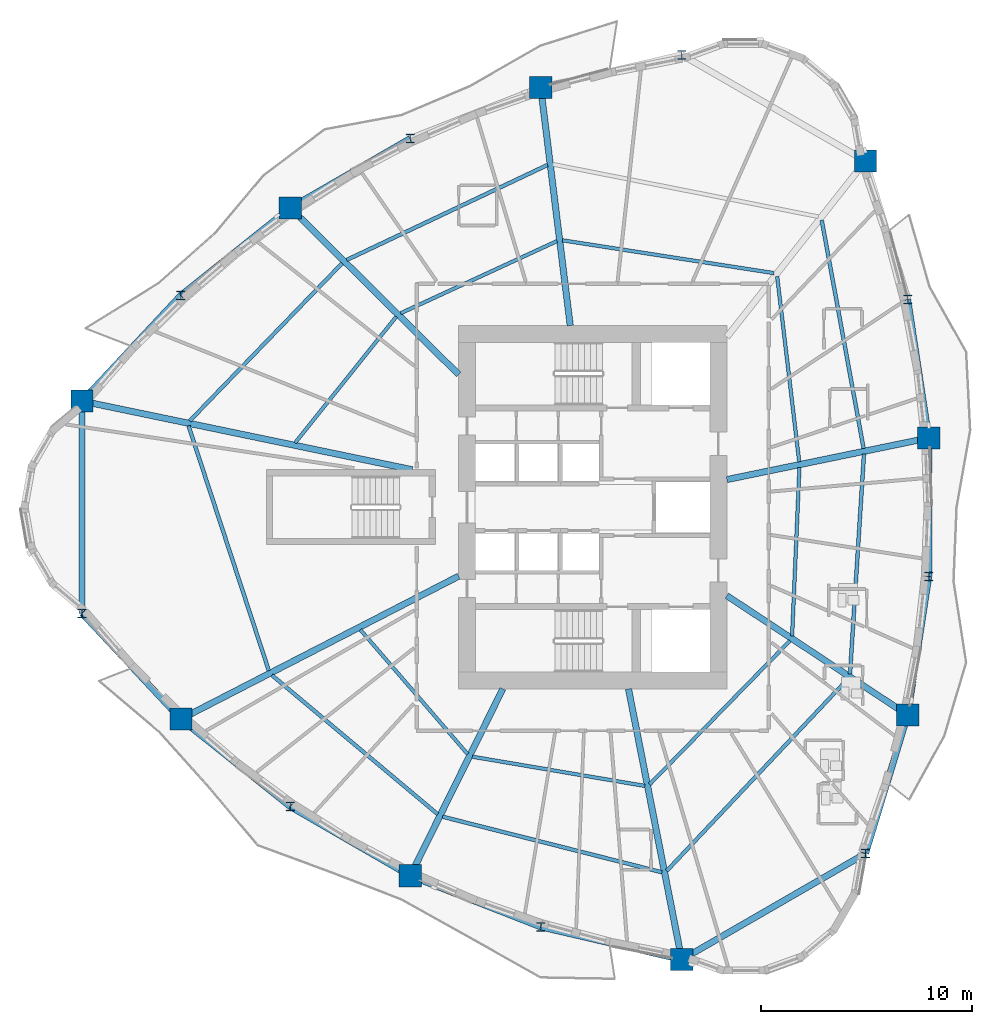
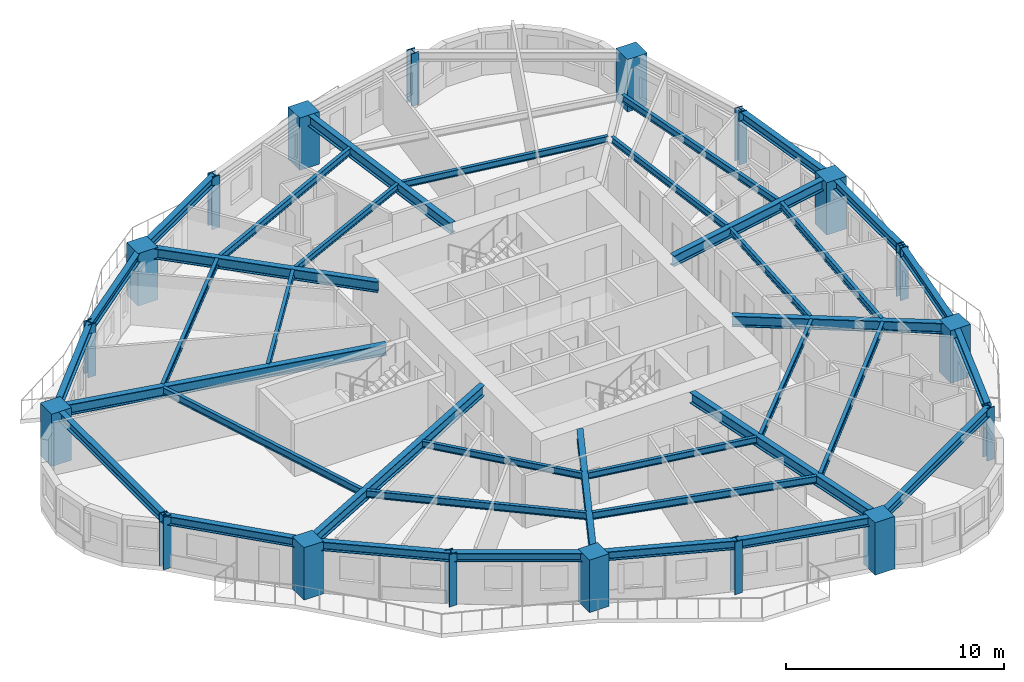
# One storey, part 1 of 13: 38 beams, 18 columns.
"""IFC4 building model written with IfcOpenShell, lengths in metres."""

from ifc_helpers import new_model, si_unit, direction, frame, origin, origin_2d, place, context, subcontext, project, spatial, rectangle, i_section, extrude, source, transform, mapped, material, material_profile, profile_set, type_object, element, save


model = new_model("IFC4")

# Units and contexts
model_context = context("Model", 3, precision=1e-05, world=origin(), true_north=direction((0.0, 1.0)))
body_context = subcontext(model_context, "Body", "Model", "MODEL_VIEW")
ifc_project = project(units=[si_unit("LENGTHUNIT", "METRE"), si_unit("AREAUNIT", "SQUARE_METRE"), si_unit("VOLUMEUNIT", "CUBIC_METRE"), si_unit("PLANEANGLEUNIT", "RADIAN"), si_unit("MASSUNIT", "GRAM", prefix="KILO")], contexts=[model_context])

# Site, building, storey
site_placement = place(None, origin())
site = spatial("IfcSite", under=ifc_project, at=site_placement, CompositionType="ELEMENT")
building_placement = place(site_placement, origin())
building = spatial("IfcBuilding", under=site, at=building_placement, Name="Qafzar Sky-Pleat Residences", CompositionType="ELEMENT")
storey_placement = place(building_placement, frame((0.0, 0.0, 59.0)))
storey = spatial("IfcBuildingStorey", under=building, at=storey_placement, Name="L17", CompositionType="ELEMENT", Elevation=59.0)

# Columns
ifc_material_1 = material(Name="Concrete C60/75", Category="concrete")
ifc_material_profile_1 = material_profile(ifc_material_1, rectangle(XDim=1.050048828125, YDim=1.050048828125, at=origin_2d()), Name="RC 1050x1050")
ifc_profile_set_1 = profile_set([ifc_material_profile_1], Name="Concrete C60/75")
column_type_1 = type_object("IfcColumnType", Name="COL-RC-1050", PredefinedType="COLUMN", material=ifc_profile_set_1)
shared_shape_1 = source(origin(), body_context, "Body", "SweptSolid", [
    extrude(rectangle(XDim=1.050048828125, YDim=1.050048828125, at=origin_2d()), origin(), (0.0, 0.0, 1.0), 2.93994140625),
])
for number, where, z_axis, x_axis, name in (
    (1, (6.175048828125, 31.02294921875, 0.0), (0.0, 0.0, 1.0), (1.0, 0.0, 0.0), "L17 Perimeter Mega Column 1"),
    (2, (10.85595703125, 15.97314453125, 0.0), (0.0, 0.0, 1.0), (1.0, 0.0, 0.0), "L17 Perimeter Mega Column 3"),
    (3, (21.712890625, 8.554443359375, 0.0), (0.0, 0.0, 1.0), (1.0, 0.0, 0.0), "L17 Perimeter Mega Column 5"),
    (4, (34.5625, 4.58740234375, 0.0), (0.0, 0.0, 1.0), (1.0, 0.0, 0.0), "L17 Perimeter Mega Column 7"),
    (5, (45.255615234375, 16.166259765625, 0.0), (0.0, 0.0, 1.0), (1.0, 0.0, 0.0), "L17 Perimeter Mega Column 9"),
    (6, (46.251953125, 29.27783203125, 0.0), (0.0, 0.0, 1.0), (1.0, 0.0, 0.0), "L17 Perimeter Mega Column 11"),
    (7, (43.262451171875, 42.389404296875, 0.0), (0.0, 0.0, 1.0), (1.0, 0.0, 0.0), "L17 Perimeter Mega Column 13"),
    (8, (27.888427734375, 45.860595703125, 0.0), (0.0, 0.0, 1.0), (1.0, 0.0, 0.0), "L17 Perimeter Mega Column 15"),
    (9, (16.035400390625, 40.167724609375, 0.0), (0.0, 0.0, 1.0), (1.0, 0.0, 0.0), "L17 Perimeter Mega Column 17"),
):
    element("IfcColumn", number, at=place(storey_placement, frame(where, z_axis=z_axis, x_axis=x_axis)), inside=storey, type_object=column_type_1, Name=name, PredefinedType="COLUMN", context=body_context, shape_type="MappedRepresentation", body=[
        mapped(shared_shape_1, transform((0.0, 0.0, 0.0), x_axis=(1.0, 0.0, 0.0), y_axis=(0.0, 1.0, 0.0), z_axis=(0.0, 0.0, 1.0), scale=1.0)),
    ])
ifc_material_2 = material(Name="Steel S460", Category="steel")
ifc_material_profile_2 = material_profile(ifc_material_2, i_section(OverallWidth=0.408935546875, OverallDepth=0.425048828125, WebThickness=0.030029296875, FlangeThickness=0.048095703125, FilletRadius=0.014892578125, at=origin_2d()), Name="HD 400x421")
ifc_profile_set_2 = profile_set([ifc_material_profile_2], Name="Steel S460")
column_type_2 = type_object("IfcColumnType", Name="COL-STL-HD421", PredefinedType="PILASTER", material=ifc_profile_set_2)
shared_shape_2 = source(origin(), body_context, "Body", "SweptSolid", [
    extrude(i_section(OverallWidth=0.408935546875, OverallDepth=0.425048828125, WebThickness=0.030029296875, FlangeThickness=0.048095703125, FilletRadius=0.014892578125, at=origin_2d()), origin(), (0.0, 0.0, 1.0), 2.93994140625),
])
for number, where, z_axis, x_axis, name in (
    (10, (6.175048828125, 20.97705078125, 0.0), (0.0, 0.0, 1.0), (1.0, 0.0, 0.0), "L17 Perimeter Mega Column 2"),
    (11, (16.035400390625, 11.832275390625, 0.0), (0.0, 0.0, 1.0), (1.0, 0.0, 0.0), "L17 Perimeter Mega Column 4"),
    (12, (27.888427734375, 6.139404296875, 0.0), (0.0, 0.0, 1.0), (1.0, 0.0, 0.0), "L17 Perimeter Mega Column 6"),
    (13, (43.262451171875, 9.610595703125, 0.0), (0.0, 0.0, 1.0), (1.0, 0.0, 0.0), "L17 Perimeter Mega Column 8"),
    (14, (46.251953125, 22.72216796875, 0.0), (0.0, 0.0, 1.0), (1.0, 0.0, 0.0), "L17 Perimeter Mega Column 10"),
    (15, (45.255615234375, 35.833740234375, 0.0), (0.0, 0.0, 1.0), (1.0, 0.0, 0.0), "L17 Perimeter Mega Column 12"),
    (16, (34.5625, 47.41259765625, 0.0), (0.0, 0.0, 1.0), (1.0, 0.0, 0.0), "L17 Perimeter Mega Column 14"),
    (17, (21.712890625, 43.445556640625, 0.0), (0.0, 0.0, 1.0), (1.0, 0.0, 0.0), "L17 Perimeter Mega Column 16"),
    (18, (10.85595703125, 36.02685546875, 0.0), (0.0, 0.0, 1.0), (1.0, 0.0, 0.0), "L17 Perimeter Mega Column 18"),
):
    element("IfcColumn", number, at=place(storey_placement, frame(where, z_axis=z_axis, x_axis=x_axis)), inside=storey, type_object=column_type_2, Name=name, PredefinedType="PILASTER", context=body_context, shape_type="MappedRepresentation", body=[
        mapped(shared_shape_2, transform((0.0, 0.0, 0.0), x_axis=(1.0, 0.0, 0.0), y_axis=(0.0, 1.0, 0.0), z_axis=(0.0, 0.0, 1.0), scale=1.0)),
    ])

# Beams
ifc_material_3 = material(Name="Steel S355", Category="steel")
ifc_material_profile_3 = material_profile(ifc_material_3, i_section(OverallWidth=0.300048828125, OverallDepth=0.5, WebThickness=0.014404296875, FlangeThickness=0.028076171875, FilletRadius=0.027099609375, at=origin_2d()), Name="HEB 500")
ifc_profile_set_3 = profile_set([ifc_material_profile_3], Name="Steel S355")
beam_type_1 = type_object("IfcBeamType", Name="BM-SPAN-HEB500", PredefinedType="SPANDREL", material=ifc_profile_set_3)
shared_shape_3 = source(origin(), body_context, "Body", "SweptSolid", [
    extrude(i_section(OverallWidth=0.300048828125, OverallDepth=0.5, WebThickness=0.014404296875, FlangeThickness=0.028076171875, FilletRadius=0.027099609375, at=origin_2d()), origin(), (0.0, 0.0, 1.0), 10.0458984375),
])
for number, where, z_axis, x_axis, name in (
    (19, (6.175048828125, 31.02294921875, 2.68798828125), (0.0, -1.0, 0.0), (1.0, 0.0, 0.0), "L17 Perimeter Spandrel Beam 1"),
    (20, (34.5625, 4.58740234375, 2.68798828125), (0.866013584312, 0.500020471368, 0.0), (-0.500020471368, 0.866013584312, 0.0), "L17 Perimeter Spandrel Beam 7"),
):
    element("IfcBeam", number, at=place(storey_placement, frame(where, z_axis=z_axis, x_axis=x_axis)), inside=storey, type_object=beam_type_1, Name=name, PredefinedType="SPANDREL", context=body_context, shape_type="MappedRepresentation", body=[
        mapped(shared_shape_3, transform((0.0, 0.0, 0.0), x_axis=(1.0, 0.0, 0.0), y_axis=(0.0, 1.0, 0.0), z_axis=(0.0, 0.0, 1.0), scale=1.0)),
    ])
shared_shape_4 = source(origin(), body_context, "Body", "SweptSolid", [
    extrude(i_section(OverallWidth=0.300048828125, OverallDepth=0.5, WebThickness=0.014404296875, FlangeThickness=0.028076171875, FilletRadius=0.027099609375, at=origin_2d()), origin(), (0.0, 0.0, 1.0), 6.85205078125),
])
for number, where, z_axis, x_axis, name in (
    (21, (6.175048828125, 20.97705078125, 2.68798828125), (0.683144256595, -0.730283455024, 0.0), (0.730283455024, 0.683144256595, 0.0), "L17 Perimeter Spandrel Beam 2"),
    (22, (27.888427734375, 6.139404296875, 2.68798828125), (0.974011500326, -0.226498559007, 0.0), (0.226498559007, 0.974011500326, 0.0), "L17 Perimeter Spandrel Beam 6"),
    (23, (43.262451171875, 9.610595703125, 2.68798828125), (0.290889380192, 0.95675669242, 0.0), (-0.95675669242, 0.290889380192, 0.0), "L17 Perimeter Spandrel Beam 8"),
    (24, (10.85595703125, 36.02685546875, 2.68798828125), (-0.683144256595, -0.730283455024, 0.0), (0.730283455024, -0.683144256595, 0.0), "L17 Perimeter Spandrel Beam 18"),
):
    element("IfcBeam", number, at=place(storey_placement, frame(where, z_axis=z_axis, x_axis=x_axis)), inside=storey, type_object=beam_type_1, Name=name, PredefinedType="SPANDREL", context=body_context, shape_type="MappedRepresentation", body=[
        mapped(shared_shape_4, transform((0.0, 0.0, 0.0), x_axis=(1.0, 0.0, 0.0), y_axis=(0.0, 1.0, 0.0), z_axis=(0.0, 0.0, 1.0), scale=1.0)),
    ])
shared_shape_5 = source(origin(), body_context, "Body", "SweptSolid", [
    extrude(i_section(OverallWidth=0.300048828125, OverallDepth=0.5, WebThickness=0.014404296875, FlangeThickness=0.028076171875, FilletRadius=0.027099609375, at=origin_2d()), origin(), (0.0, 0.0, 1.0), 6.63134765625),
])
for number, where, z_axis, x_axis, name in (
    (25, (10.85595703125, 15.97314453125, 2.68798828125), (0.781066323429, -0.624448075027, 0.0), (0.624448075027, 0.781066323429, 0.0), "L17 Perimeter Spandrel Beam 3"),
    (26, (16.035400390625, 40.167724609375, 2.68798828125), (-0.781066323429, -0.624448075027, 0.0), (0.624448075027, -0.781066323429, 0.0), "L17 Perimeter Spandrel Beam 17"),
):
    element("IfcBeam", number, at=place(storey_placement, frame(where, z_axis=z_axis, x_axis=x_axis)), inside=storey, type_object=beam_type_1, Name=name, PredefinedType="SPANDREL", context=body_context, shape_type="MappedRepresentation", body=[
        mapped(shared_shape_5, transform((0.0, 0.0, 0.0), x_axis=(1.0, 0.0, 0.0), y_axis=(0.0, 1.0, 0.0), z_axis=(0.0, 0.0, 1.0), scale=1.0)),
    ])
shared_shape_6 = source(origin(), body_context, "Body", "SweptSolid", [
    extrude(i_section(OverallWidth=0.300048828125, OverallDepth=0.5, WebThickness=0.014404296875, FlangeThickness=0.028076171875, FilletRadius=0.027099609375, at=origin_2d()), origin(), (0.0, 0.0, 1.0), 6.5556640625),
])
for number, where, z_axis, x_axis, name in (
    (27, (16.035400390625, 11.832275390625, 2.68798828125), (0.866029927155, -0.499992165211, 0.0), (0.499992165211, 0.866029927155, 0.0), "L17 Perimeter Spandrel Beam 4"),
    (28, (46.251953125, 22.72216796875, 2.68798828125), (0.0, 1.0, 0.0), (-1.0, 0.0, 0.0), "L17 Perimeter Spandrel Beam 10"),
    (29, (21.712890625, 43.445556640625, 2.68798828125), (-0.866029927155, -0.499992165211, 0.0), (0.499992165211, -0.866029927155, 0.0), "L17 Perimeter Spandrel Beam 16"),
):
    element("IfcBeam", number, at=place(storey_placement, frame(where, z_axis=z_axis, x_axis=x_axis)), inside=storey, type_object=beam_type_1, Name=name, PredefinedType="SPANDREL", context=body_context, shape_type="MappedRepresentation", body=[
        mapped(shared_shape_6, transform((0.0, 0.0, 0.0), x_axis=(1.0, 0.0, 0.0), y_axis=(0.0, 1.0, 0.0), z_axis=(0.0, 0.0, 1.0), scale=1.0)),
    ])
shared_shape_7 = source(origin(), body_context, "Body", "SweptSolid", [
    extrude(i_section(OverallWidth=0.300048828125, OverallDepth=0.5, WebThickness=0.014404296875, FlangeThickness=0.028076171875, FilletRadius=0.027099609375, at=origin_2d()), origin(), (0.0, 0.0, 1.0), 6.630859375),
])
beam_1_placement = place(storey_placement, frame((21.712890625, 8.554443359375, 2.68798828125), z_axis=(0.931318267356, -0.364206376782, 0.0), x_axis=(0.364206376782, 0.931318267356, 0.0)))
element("IfcBeam", 30, at=beam_1_placement, inside=storey, type_object=beam_type_1, Name="L17 Perimeter Spandrel Beam 5", PredefinedType="SPANDREL", context=body_context, shape_type="MappedRepresentation", body=[
    mapped(shared_shape_7, transform((0.0, 0.0, 0.0), x_axis=(1.0, 0.0, 0.0), y_axis=(0.0, 1.0, 0.0), z_axis=(0.0, 0.0, 1.0), scale=1.0)),
])
shared_shape_8 = source(origin(), body_context, "Body", "SweptSolid", [
    extrude(i_section(OverallWidth=0.300048828125, OverallDepth=0.5, WebThickness=0.014404296875, FlangeThickness=0.028076171875, FilletRadius=0.027099609375, at=origin_2d()), origin(), (0.0, 0.0, 1.0), 6.631103515625),
])
for number, where, z_axis, x_axis, name in (
    (31, (45.255615234375, 16.166259765625, 2.68798828125), (0.150250341483, 0.988647983301, 0.0), (-0.988647983301, 0.150250341483, 0.0), "L17 Perimeter Spandrel Beam 9"),
    (32, (46.251953125, 29.27783203125, 2.68798828125), (-0.150250341483, 0.988647983301, 0.0), (-0.988647983301, -0.150250341483, 0.0), "L17 Perimeter Spandrel Beam 11"),
):
    element("IfcBeam", number, at=place(storey_placement, frame(where, z_axis=z_axis, x_axis=x_axis)), inside=storey, type_object=beam_type_1, Name=name, PredefinedType="SPANDREL", context=body_context, shape_type="MappedRepresentation", body=[
        mapped(shared_shape_8, transform((0.0, 0.0, 0.0), x_axis=(1.0, 0.0, 0.0), y_axis=(0.0, 1.0, 0.0), z_axis=(0.0, 0.0, 1.0), scale=1.0)),
    ])
ifc_material_profile_4 = material_profile(ifc_material_3, i_section(OverallWidth=0.300048828125, OverallDepth=0.60009765625, WebThickness=0.015380859375, FlangeThickness=0.030029296875, FilletRadius=0.027099609375, at=origin_2d()), Name="HEB 600")
ifc_profile_set_4 = profile_set([ifc_material_profile_4], Name="Steel S355")
beam_type_2 = type_object("IfcBeamType", Name="BM-GIRD-HEB600", PredefinedType="BEAM", material=ifc_profile_set_4)
shared_shape_9 = source(origin(), body_context, "Body", "SweptSolid", [
    extrude(i_section(OverallWidth=0.300048828125, OverallDepth=0.60009765625, WebThickness=0.015380859375, FlangeThickness=0.030029296875, FilletRadius=0.027099609375, at=origin_2d()), origin(), (0.0, 0.0, 1.0), 15.9658203125),
])
beam_2_placement = place(storey_placement, frame((6.175048828125, 31.02294921875, 2.637939453125), z_axis=(0.979087655723, -0.20343884194, 0.0), x_axis=(0.20343884194, 0.979087655723, 0.0)))
element("IfcBeam", 33, at=beam_2_placement, inside=storey, type_object=beam_type_2, Name="L17 Radial Floor Girder 1", PredefinedType="BEAM", context=body_context, shape_type="MappedRepresentation", body=[
    mapped(shared_shape_9, transform((0.0, 0.0, 0.0), x_axis=(1.0, 0.0, 0.0), y_axis=(0.0, 1.0, 0.0), z_axis=(0.0, 0.0, 1.0), scale=1.0)),
])
shared_shape_10 = source(origin(), body_context, "Body", "SweptSolid", [
    extrude(i_section(OverallWidth=0.300048828125, OverallDepth=0.60009765625, WebThickness=0.015380859375, FlangeThickness=0.030029296875, FilletRadius=0.027099609375, at=origin_2d()), origin(), (0.0, 0.0, 1.0), 14.78076171875),
])
beam_3_placement = place(storey_placement, frame((10.85595703125, 15.97314453125, 2.637939453125), z_axis=(0.889261697254, 0.457398768906, 0.0), x_axis=(-0.457398768906, 0.889261697254, 0.0)))
element("IfcBeam", 34, at=beam_3_placement, inside=storey, type_object=beam_type_2, Name="L17 Radial Floor Girder 3", PredefinedType="BEAM", context=body_context, shape_type="MappedRepresentation", body=[
    mapped(shared_shape_10, transform((0.0, 0.0, 0.0), x_axis=(1.0, 0.0, 0.0), y_axis=(0.0, 1.0, 0.0), z_axis=(0.0, 0.0, 1.0), scale=1.0)),
])
shared_shape_11 = source(origin(), body_context, "Body", "SweptSolid", [
    extrude(i_section(OverallWidth=0.300048828125, OverallDepth=0.60009765625, WebThickness=0.015380859375, FlangeThickness=0.030029296875, FilletRadius=0.027099609375, at=origin_2d()), origin(), (0.0, 0.0, 1.0), 9.8701171875),
])
beam_4_placement = place(storey_placement, frame((21.712890625, 8.554443359375, 2.637939453125), z_axis=(0.44369776666, 0.896176484773, 0.0), x_axis=(-0.896176484773, 0.44369776666, 0.0)))
element("IfcBeam", 35, at=beam_4_placement, inside=storey, type_object=beam_type_2, Name="L17 Radial Floor Girder 5", PredefinedType="BEAM", context=body_context, shape_type="MappedRepresentation", body=[
    mapped(shared_shape_11, transform((0.0, 0.0, 0.0), x_axis=(1.0, 0.0, 0.0), y_axis=(0.0, 1.0, 0.0), z_axis=(0.0, 0.0, 1.0), scale=1.0)),
])
shared_shape_12 = source(origin(), body_context, "Body", "SweptSolid", [
    extrude(i_section(OverallWidth=0.300048828125, OverallDepth=0.60009765625, WebThickness=0.015380859375, FlangeThickness=0.030029296875, FilletRadius=0.027099609375, at=origin_2d()), origin(), (0.0, 0.0, 1.0), 13.05810546875),
])
beam_5_placement = place(storey_placement, frame((34.5625, 4.58740234375, 2.637939453125), z_axis=(-0.193023040618, 0.981194224295, 0.0), x_axis=(-0.981194224295, -0.193023040618, 0.0)))
element("IfcBeam", 36, at=beam_5_placement, inside=storey, type_object=beam_type_2, Name="L17 Radial Floor Girder 7", PredefinedType="BEAM", context=body_context, shape_type="MappedRepresentation", body=[
    mapped(shared_shape_12, transform((0.0, 0.0, 0.0), x_axis=(1.0, 0.0, 0.0), y_axis=(0.0, 1.0, 0.0), z_axis=(0.0, 0.0, 1.0), scale=1.0)),
])
shared_shape_13 = source(origin(), body_context, "Body", "SweptSolid", [
    extrude(i_section(OverallWidth=0.300048828125, OverallDepth=0.60009765625, WebThickness=0.015380859375, FlangeThickness=0.030029296875, FilletRadius=0.027099609375, at=origin_2d()), origin(), (0.0, 0.0, 1.0), 10.25),
])
beam_6_placement = place(storey_placement, frame((45.255615234375, 16.166259765625, 2.637939453125), z_axis=(-0.834708385067, 0.550692211584, 0.0), x_axis=(-0.550692211584, -0.834708385067, 0.0)))
element("IfcBeam", 37, at=beam_6_placement, inside=storey, type_object=beam_type_2, Name="L17 Radial Floor Girder 9", PredefinedType="BEAM", context=body_context, shape_type="MappedRepresentation", body=[
    mapped(shared_shape_13, transform((0.0, 0.0, 0.0), x_axis=(1.0, 0.0, 0.0), y_axis=(0.0, 1.0, 0.0), z_axis=(0.0, 0.0, 1.0), scale=1.0)),
])
shared_shape_14 = source(origin(), body_context, "Body", "SweptSolid", [
    extrude(i_section(OverallWidth=0.300048828125, OverallDepth=0.60009765625, WebThickness=0.015380859375, FlangeThickness=0.030029296875, FilletRadius=0.027099609375, at=origin_2d()), origin(), (0.0, 0.0, 1.0), 9.7529296875),
])
beam_7_placement = place(storey_placement, frame((46.251953125, 29.27783203125, 2.637939453125), z_axis=(-0.979408299393, -0.201889531875, 0.0), x_axis=(0.201889531875, -0.979408299393, 0.0)))
element("IfcBeam", 38, at=beam_7_placement, inside=storey, type_object=beam_type_2, Name="L17 Radial Floor Girder 11", PredefinedType="BEAM", context=body_context, shape_type="MappedRepresentation", body=[
    mapped(shared_shape_14, transform((0.0, 0.0, 0.0), x_axis=(1.0, 0.0, 0.0), y_axis=(0.0, 1.0, 0.0), z_axis=(0.0, 0.0, 1.0), scale=1.0)),
])
shared_shape_15 = source(origin(), body_context, "Body", "SweptSolid", [
    extrude(i_section(OverallWidth=0.300048828125, OverallDepth=0.60009765625, WebThickness=0.015380859375, FlangeThickness=0.030029296875, FilletRadius=0.027099609375, at=origin_2d()), origin(), (0.0, 0.0, 1.0), 11.3466796875),
])
beam_8_placement = place(storey_placement, frame((27.888427734375, 45.860595703125, 2.637939453125), z_axis=(0.123009821066, -0.992405453392, 0.0), x_axis=(0.992405453392, 0.123009821066, 0.0)))
element("IfcBeam", 39, at=beam_8_placement, inside=storey, type_object=beam_type_2, Name="L17 Radial Floor Girder 15", PredefinedType="BEAM", context=body_context, shape_type="MappedRepresentation", body=[
    mapped(shared_shape_15, transform((0.0, 0.0, 0.0), x_axis=(1.0, 0.0, 0.0), y_axis=(0.0, 1.0, 0.0), z_axis=(0.0, 0.0, 1.0), scale=1.0)),
])
shared_shape_16 = source(origin(), body_context, "Body", "SweptSolid", [
    extrude(i_section(OverallWidth=0.300048828125, OverallDepth=0.60009765625, WebThickness=0.015380859375, FlangeThickness=0.030029296875, FilletRadius=0.027099609375, at=origin_2d()), origin(), (0.0, 0.0, 1.0), 11.2060546875),
])
beam_9_placement = place(storey_placement, frame((16.035400390625, 40.167724609375, 2.637939453125), z_axis=(0.710746632195, -0.703448096751, 0.0), x_axis=(0.703448096751, 0.710746632195, 0.0)))
element("IfcBeam", 40, at=beam_9_placement, inside=storey, type_object=beam_type_2, Name="L17 Radial Floor Girder 17", PredefinedType="BEAM", context=body_context, shape_type="MappedRepresentation", body=[
    mapped(shared_shape_16, transform((0.0, 0.0, 0.0), x_axis=(1.0, 0.0, 0.0), y_axis=(0.0, 1.0, 0.0), z_axis=(0.0, 0.0, 1.0), scale=1.0)),
])
ifc_material_profile_5 = material_profile(ifc_material_3, i_section(OverallWidth=0.179931640625, OverallDepth=0.39990234375, WebThickness=0.008544921875, FlangeThickness=0.013427734375, FilletRadius=0.02099609375, at=origin_2d()), Name="IPE 400")
ifc_profile_set_5 = profile_set([ifc_material_profile_5], Name="Steel S355")
beam_type_3 = type_object("IfcBeamType", Name="BM-JST-IPE400", PredefinedType="JOIST", material=ifc_profile_set_5)
shared_shape_17 = source(origin(), body_context, "Body", "SweptSolid", [
    extrude(i_section(OverallWidth=0.179931640625, OverallDepth=0.39990234375, WebThickness=0.008544921875, FlangeThickness=0.013427734375, FilletRadius=0.02099609375, at=origin_2d()), origin(), (0.0, 0.0, 1.0), 12.197509765625),
])
beam_10_placement = place(storey_placement, frame((11.21923828125, 29.855224609375, 2.738037109375), z_axis=(0.311600442653, -0.950213220356, 0.0), x_axis=(0.950213220356, 0.311600442653, 0.0)))
element("IfcBeam", 41, at=beam_10_placement, inside=storey, type_object=beam_type_3, Name="L17 Outer Secondary Floor Joist 1", PredefinedType="JOIST", context=body_context, shape_type="MappedRepresentation", body=[
    mapped(shared_shape_17, transform((0.0, 0.0, 0.0), x_axis=(1.0, 0.0, 0.0), y_axis=(0.0, 1.0, 0.0), z_axis=(0.0, 0.0, 1.0), scale=1.0)),
])
shared_shape_18 = source(origin(), body_context, "Body", "SweptSolid", [
    extrude(i_section(OverallWidth=0.179931640625, OverallDepth=0.39990234375, WebThickness=0.008544921875, FlangeThickness=0.013427734375, FilletRadius=0.02099609375, at=origin_2d()), origin(), (0.0, 0.0, 1.0), 10.238037109375),
])
beam_11_placement = place(storey_placement, frame((15.16552734375, 18.0498046875, 2.738037109375), z_axis=(0.766274860115, -0.642512909408, 0.0), x_axis=(0.642512909408, 0.766274860115, 0.0)))
element("IfcBeam", 42, at=beam_11_placement, inside=storey, type_object=beam_type_3, Name="L17 Outer Secondary Floor Joist 2", PredefinedType="JOIST", context=body_context, shape_type="MappedRepresentation", body=[
    mapped(shared_shape_18, transform((0.0, 0.0, 0.0), x_axis=(1.0, 0.0, 0.0), y_axis=(0.0, 1.0, 0.0), z_axis=(0.0, 0.0, 1.0), scale=1.0)),
])
shared_shape_19 = source(origin(), body_context, "Body", "SweptSolid", [
    extrude(i_section(OverallWidth=0.179931640625, OverallDepth=0.39990234375, WebThickness=0.008544921875, FlangeThickness=0.013427734375, FilletRadius=0.02099609375, at=origin_2d()), origin(), (0.0, 0.0, 1.0), 10.708251953125),
])
beam_12_placement = place(storey_placement, frame((23.2451171875, 11.351806640625, 2.738037109375), z_axis=(0.969343343065, -0.245710161074, 0.0), x_axis=(0.245710161074, 0.969343343065, 0.0)))
element("IfcBeam", 43, at=beam_12_placement, inside=storey, type_object=beam_type_3, Name="L17 Outer Secondary Floor Joist 3", PredefinedType="JOIST", context=body_context, shape_type="MappedRepresentation", body=[
    mapped(shared_shape_19, transform((0.0, 0.0, 0.0), x_axis=(1.0, 0.0, 0.0), y_axis=(0.0, 1.0, 0.0), z_axis=(0.0, 0.0, 1.0), scale=1.0)),
])
shared_shape_20 = source(origin(), body_context, "Body", "SweptSolid", [
    extrude(i_section(OverallWidth=0.179931640625, OverallDepth=0.39990234375, WebThickness=0.008544921875, FlangeThickness=0.013427734375, FilletRadius=0.02099609375, at=origin_2d()), origin(), (0.0, 0.0, 1.0), 12.496337890625),
])
beam_13_placement = place(storey_placement, frame((33.8486328125, 8.78564453125, 2.738037109375), z_axis=(0.68631540496, 0.727304038841, 0.0), x_axis=(-0.727304038841, 0.68631540496, 0.0)))
element("IfcBeam", 44, at=beam_13_placement, inside=storey, type_object=beam_type_3, Name="L17 Outer Secondary Floor Joist 4", PredefinedType="JOIST", context=body_context, shape_type="MappedRepresentation", body=[
    mapped(shared_shape_20, transform((0.0, 0.0, 0.0), x_axis=(1.0, 0.0, 0.0), y_axis=(0.0, 1.0, 0.0), z_axis=(0.0, 0.0, 1.0), scale=1.0)),
])
shared_shape_21 = source(origin(), body_context, "Body", "SweptSolid", [
    extrude(i_section(OverallWidth=0.179931640625, OverallDepth=0.39990234375, WebThickness=0.008544921875, FlangeThickness=0.013427734375, FilletRadius=0.02099609375, at=origin_2d()), origin(), (0.0, 0.0, 1.0), 10.427001953125),
])
beam_14_placement = place(storey_placement, frame((42.5263671875, 18.107177734375, 2.738037109375), z_axis=(0.06333597045, 0.997992261917, 0.0), x_axis=(-0.997992261917, 0.06333597045, 0.0)))
element("IfcBeam", 45, at=beam_14_placement, inside=storey, type_object=beam_type_3, Name="L17 Outer Secondary Floor Joist 5", PredefinedType="JOIST", context=body_context, shape_type="MappedRepresentation", body=[
    mapped(shared_shape_21, transform((0.0, 0.0, 0.0), x_axis=(1.0, 0.0, 0.0), y_axis=(0.0, 1.0, 0.0), z_axis=(0.0, 0.0, 1.0), scale=1.0)),
])
shared_shape_22 = source(origin(), body_context, "Body", "SweptSolid", [
    extrude(i_section(OverallWidth=0.179931640625, OverallDepth=0.39990234375, WebThickness=0.008544921875, FlangeThickness=0.013427734375, FilletRadius=0.02099609375, at=origin_2d()), origin(), (0.0, 0.0, 1.0), 10.9912109375),
])
beam_15_placement = place(storey_placement, frame((43.1708984375, 28.780517578125, 2.738037109375), z_axis=(-0.180495845154, 0.983575746896, 0.0), x_axis=(-0.983575746896, -0.180495845154, 0.0)))
element("IfcBeam", 46, at=beam_15_placement, inside=storey, type_object=beam_type_3, Name="L17 Outer Secondary Floor Joist 6", PredefinedType="JOIST", context=body_context, shape_type="MappedRepresentation", body=[
    mapped(shared_shape_22, transform((0.0, 0.0, 0.0), x_axis=(1.0, 0.0, 0.0), y_axis=(0.0, 1.0, 0.0), z_axis=(0.0, 0.0, 1.0), scale=1.0)),
])
shared_shape_23 = source(origin(), body_context, "Body", "SweptSolid", [
    extrude(i_section(OverallWidth=0.179931640625, OverallDepth=0.39990234375, WebThickness=0.008544921875, FlangeThickness=0.013427734375, FilletRadius=0.02099609375, at=origin_2d()), origin(), (0.0, 0.0, 1.0), 10.516845703125),
])
beam_16_placement = place(storey_placement, frame((28.213134765625, 42.199462890625, 2.738037109375), z_axis=(-0.903986792831, -0.427560379815, 0.0), x_axis=(0.427560379815, -0.903986792831, 0.0)))
element("IfcBeam", 47, at=beam_16_placement, inside=storey, type_object=beam_type_3, Name="L17 Outer Secondary Floor Joist 8", PredefinedType="JOIST", context=body_context, shape_type="MappedRepresentation", body=[
    mapped(shared_shape_23, transform((0.0, 0.0, 0.0), x_axis=(1.0, 0.0, 0.0), y_axis=(0.0, 1.0, 0.0), z_axis=(0.0, 0.0, 1.0), scale=1.0)),
])
shared_shape_24 = source(origin(), body_context, "Body", "SweptSolid", [
    extrude(i_section(OverallWidth=0.179931640625, OverallDepth=0.39990234375, WebThickness=0.008544921875, FlangeThickness=0.013427734375, FilletRadius=0.02099609375, at=origin_2d()), origin(), (0.0, 0.0, 1.0), 10.38671875),
])
beam_17_placement = place(storey_placement, frame((18.490234375, 37.548095703125, 2.738037109375), z_axis=(-0.695053283652, -0.718958227496, 0.0), x_axis=(0.718958227496, -0.695053283652, 0.0)))
element("IfcBeam", 48, at=beam_17_placement, inside=storey, type_object=beam_type_3, Name="L17 Outer Secondary Floor Joist 9", PredefinedType="JOIST", context=body_context, shape_type="MappedRepresentation", body=[
    mapped(shared_shape_24, transform((0.0, 0.0, 0.0), x_axis=(1.0, 0.0, 0.0), y_axis=(0.0, 1.0, 0.0), z_axis=(0.0, 0.0, 1.0), scale=1.0)),
])
ifc_material_profile_6 = material_profile(ifc_material_3, i_section(OverallWidth=0.169921875, OverallDepth=0.360107421875, WebThickness=0.008056640625, FlangeThickness=0.0126953125, FilletRadius=0.01806640625, at=origin_2d()), Name="IPE 360")
ifc_profile_set_6 = profile_set([ifc_material_profile_6], Name="Steel S355")
beam_type_4 = type_object("IfcBeamType", Name="BM-JST-IPE360", PredefinedType="JOIST", material=ifc_profile_set_6)
shared_shape_25 = source(origin(), body_context, "Body", "SweptSolid", [
    extrude(i_section(OverallWidth=0.169921875, OverallDepth=0.360107421875, WebThickness=0.008056640625, FlangeThickness=0.0126953125, FilletRadius=0.01806640625, at=origin_2d()), origin(), (0.0, 0.0, 1.0), 7.7646484375),
])
beam_18_placement = place(storey_placement, frame((19.356201171875, 20.19775390625, 2.758056640625), z_axis=(0.653118734641, -0.757255517287, 0.0), x_axis=(0.757255517287, 0.653118734641, 0.0)))
element("IfcBeam", 49, at=beam_18_placement, inside=storey, type_object=beam_type_4, Name="L17 Inner Secondary Floor Joist 2", PredefinedType="JOIST", context=body_context, shape_type="MappedRepresentation", body=[
    mapped(shared_shape_25, transform((0.0, 0.0, 0.0), x_axis=(1.0, 0.0, 0.0), y_axis=(0.0, 1.0, 0.0), z_axis=(0.0, 0.0, 1.0), scale=1.0)),
])
shared_shape_26 = source(origin(), body_context, "Body", "SweptSolid", [
    extrude(i_section(OverallWidth=0.169921875, OverallDepth=0.360107421875, WebThickness=0.008056640625, FlangeThickness=0.0126953125, FilletRadius=0.01806640625, at=origin_2d()), origin(), (0.0, 0.0, 1.0), 8.28369140625),
])
beam_19_placement = place(storey_placement, frame((24.648681640625, 14.193115234375, 2.758056640625), z_axis=(0.985963648514, -0.166960126407, 0.0), x_axis=(0.166960126407, 0.985963648514, 0.0)))
element("IfcBeam", 50, at=beam_19_placement, inside=storey, type_object=beam_type_4, Name="L17 Inner Secondary Floor Joist 3", PredefinedType="JOIST", context=body_context, shape_type="MappedRepresentation", body=[
    mapped(shared_shape_26, transform((0.0, 0.0, 0.0), x_axis=(1.0, 0.0, 0.0), y_axis=(0.0, 1.0, 0.0), z_axis=(0.0, 0.0, 1.0), scale=1.0)),
])
shared_shape_27 = source(origin(), body_context, "Body", "SweptSolid", [
    extrude(i_section(OverallWidth=0.169921875, OverallDepth=0.360107421875, WebThickness=0.008056640625, FlangeThickness=0.0126953125, FilletRadius=0.01806640625, at=origin_2d()), origin(), (0.0, 0.0, 1.0), 9.504150390625),
])
beam_20_placement = place(storey_placement, frame((33.043701171875, 12.884033203125, 2.758056640625), z_axis=(0.698838877273, 0.715279122869, 0.0), x_axis=(-0.715279122869, 0.698838877273, 0.0)))
element("IfcBeam", 51, at=beam_20_placement, inside=storey, type_object=beam_type_4, Name="L17 Inner Secondary Floor Joist 4", PredefinedType="JOIST", context=body_context, shape_type="MappedRepresentation", body=[
    mapped(shared_shape_27, transform((0.0, 0.0, 0.0), x_axis=(1.0, 0.0, 0.0), y_axis=(0.0, 1.0, 0.0), z_axis=(0.0, 0.0, 1.0), scale=1.0)),
])
shared_shape_28 = source(origin(), body_context, "Body", "SweptSolid", [
    extrude(i_section(OverallWidth=0.169921875, OverallDepth=0.360107421875, WebThickness=0.008056640625, FlangeThickness=0.0126953125, FilletRadius=0.01806640625, at=origin_2d()), origin(), (0.0, 0.0, 1.0), 7.976806640625),
])
beam_21_placement = place(storey_placement, frame((39.785888671875, 19.91357421875, 2.758056640625), z_axis=(0.043491680487, 0.999053789207, 0.0), x_axis=(-0.999053789207, 0.043491680487, 0.0)))
element("IfcBeam", 52, at=beam_21_placement, inside=storey, type_object=beam_type_4, Name="L17 Inner Secondary Floor Joist 5", PredefinedType="JOIST", context=body_context, shape_type="MappedRepresentation", body=[
    mapped(shared_shape_28, transform((0.0, 0.0, 0.0), x_axis=(1.0, 0.0, 0.0), y_axis=(0.0, 1.0, 0.0), z_axis=(0.0, 0.0, 1.0), scale=1.0)),
])
shared_shape_29 = source(origin(), body_context, "Body", "SweptSolid", [
    extrude(i_section(OverallWidth=0.169921875, OverallDepth=0.360107421875, WebThickness=0.008056640625, FlangeThickness=0.0126953125, FilletRadius=0.01806640625, at=origin_2d()), origin(), (0.0, 0.0, 1.0), 8.834716796875),
])
beam_22_placement = place(storey_placement, frame((40.122802734375, 28.15185546875, 2.758056640625), z_axis=(-0.118192777896, 0.992990668261, 0.0), x_axis=(-0.992990668261, -0.118192777896, 0.0)))
element("IfcBeam", 53, at=beam_22_placement, inside=storey, type_object=beam_type_4, Name="L17 Inner Secondary Floor Joist 6", PredefinedType="JOIST", context=body_context, shape_type="MappedRepresentation", body=[
    mapped(shared_shape_29, transform((0.0, 0.0, 0.0), x_axis=(1.0, 0.0, 0.0), y_axis=(0.0, 1.0, 0.0), z_axis=(0.0, 0.0, 1.0), scale=1.0)),
])
shared_shape_30 = source(origin(), body_context, "Body", "SweptSolid", [
    extrude(i_section(OverallWidth=0.169921875, OverallDepth=0.360107421875, WebThickness=0.008056640625, FlangeThickness=0.0126953125, FilletRadius=0.01806640625, at=origin_2d()), origin(), (0.0, 0.0, 1.0), 10.134033203125),
])
beam_23_placement = place(storey_placement, frame((38.92919921875, 37.079345703125, 2.758056640625), z_axis=(-0.988177050056, 0.153317049748, 0.0), x_axis=(-0.153317049748, -0.988177050056, 0.0)))
element("IfcBeam", 54, at=beam_23_placement, inside=storey, type_object=beam_type_4, Name="L17 Inner Secondary Floor Joist 7", PredefinedType="JOIST", context=body_context, shape_type="MappedRepresentation", body=[
    mapped(shared_shape_30, transform((0.0, 0.0, 0.0), x_axis=(1.0, 0.0, 0.0), y_axis=(0.0, 1.0, 0.0), z_axis=(0.0, 0.0, 1.0), scale=1.0)),
])
shared_shape_31 = source(origin(), body_context, "Body", "SweptSolid", [
    extrude(i_section(OverallWidth=0.169921875, OverallDepth=0.360107421875, WebThickness=0.008056640625, FlangeThickness=0.0126953125, FilletRadius=0.01806640625, at=origin_2d()), origin(), (0.0, 0.0, 1.0), 8.15478515625),
])
beam_24_placement = place(storey_placement, frame((28.6591796875, 38.59716796875, 2.758056640625), z_axis=(-0.907920825462, -0.419141711946, 0.0), x_axis=(0.419141711946, -0.907920825462, 0.0)))
element("IfcBeam", 55, at=beam_24_placement, inside=storey, type_object=beam_type_4, Name="L17 Inner Secondary Floor Joist 8", PredefinedType="JOIST", context=body_context, shape_type="MappedRepresentation", body=[
    mapped(shared_shape_31, transform((0.0, 0.0, 0.0), x_axis=(1.0, 0.0, 0.0), y_axis=(0.0, 1.0, 0.0), z_axis=(0.0, 0.0, 1.0), scale=1.0)),
])
shared_shape_32 = source(origin(), body_context, "Body", "SweptSolid", [
    extrude(i_section(OverallWidth=0.169921875, OverallDepth=0.360107421875, WebThickness=0.008056640625, FlangeThickness=0.0126953125, FilletRadius=0.01806640625, at=origin_2d()), origin(), (0.0, 0.0, 1.0), 7.64892578125),
])
beam_25_placement = place(storey_placement, frame((21.04833984375, 35.017333984375, 2.758056640625), z_axis=(-0.625508242846, -0.780217558205, 0.0), x_axis=(0.780217558205, -0.625508242846, 0.0)))
element("IfcBeam", 56, at=beam_25_placement, inside=storey, type_object=beam_type_4, Name="L17 Inner Secondary Floor Joist 9", PredefinedType="JOIST", context=body_context, shape_type="MappedRepresentation", body=[
    mapped(shared_shape_32, transform((0.0, 0.0, 0.0), x_axis=(1.0, 0.0, 0.0), y_axis=(0.0, 1.0, 0.0), z_axis=(0.0, 0.0, 1.0), scale=1.0)),
])

save(model, "model.ifc")
